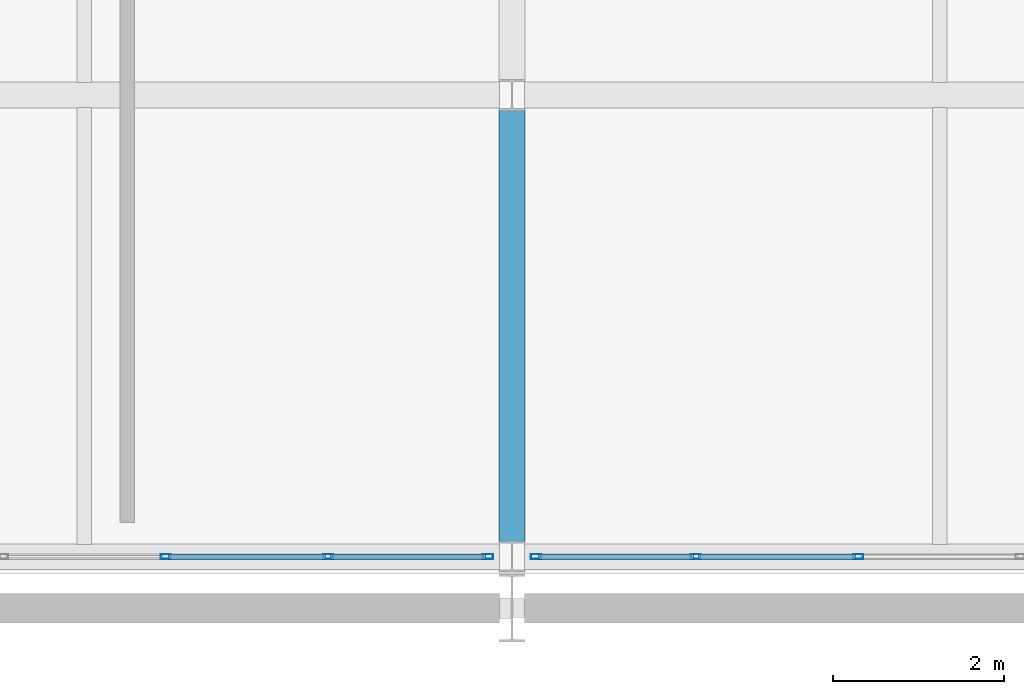
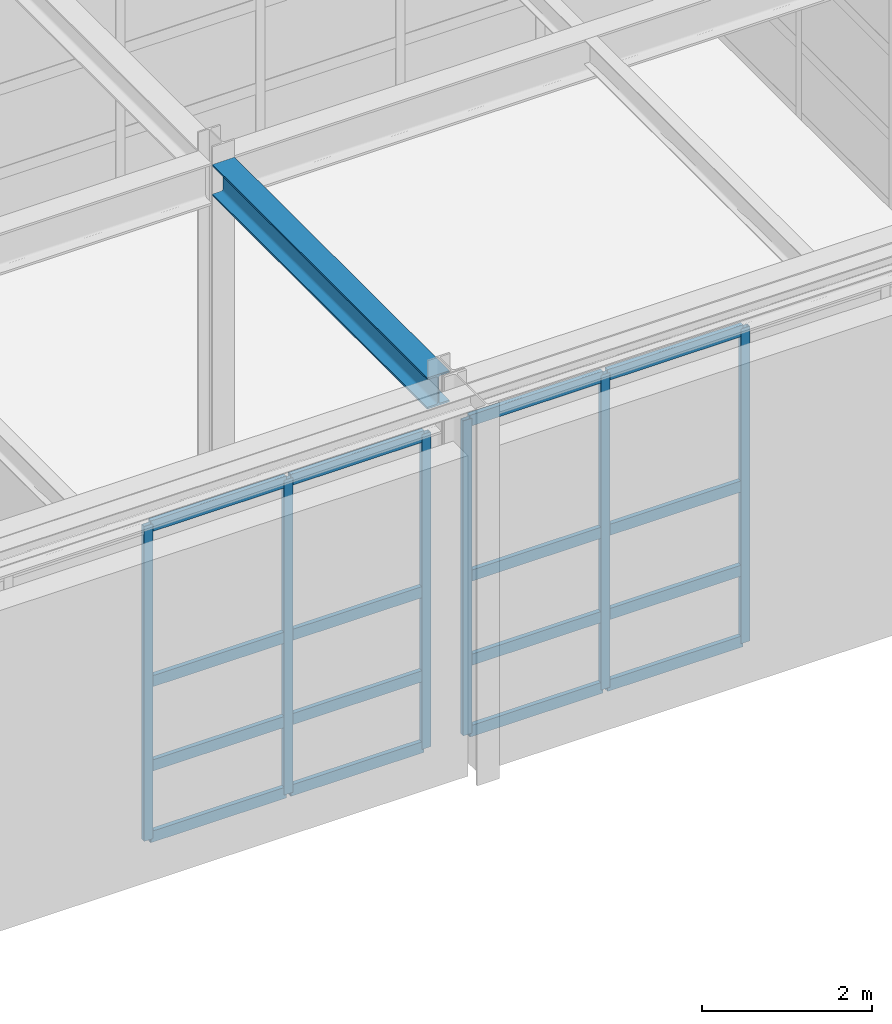
# One storey, part 122 of 210: 22 members, 1 beam, 2 elements without a shape of their own.
"""IFC4 building model written with IfcOpenShell, lengths in metres."""

from ifc_helpers import new_model, si_unit, direction, frame, origin, origin_2d, place, context, subcontext, project, spatial, hollow_rectangle, i_section, extrude, material, material_profile, profile_set, type_object, element, aggregate, save


model = new_model("IFC4")

# Units and contexts
model_context = context("Model", 3, precision=1e-05, world=origin(), true_north=direction((0.0, 1.0)))
body_context = subcontext(model_context, "Body", "Model", "MODEL_VIEW")
ifc_project = project(units=[si_unit("LENGTHUNIT", "METRE"), si_unit("AREAUNIT", "SQUARE_METRE"), si_unit("VOLUMEUNIT", "CUBIC_METRE"), si_unit("PLANEANGLEUNIT", "RADIAN"), si_unit("MASSUNIT", "GRAM", prefix="KILO")], contexts=[model_context])

# Site, building, storey
site_placement = place(None, origin())
site = spatial("IfcSite", under=ifc_project, at=site_placement, CompositionType="ELEMENT")
building_placement = place(site_placement, origin())
building = spatial("IfcBuilding", under=site, at=building_placement, Name="Kaldris Quays Convention Centre", CompositionType="ELEMENT")
storey_placement = place(building_placement, frame((0.0, 0.0, 6.0)))
storey = spatial("IfcBuildingStorey", under=building, at=storey_placement, Name="L01", CompositionType="ELEMENT", Elevation=6.0)

# Curtain wall, members
ifc_material_1 = material(Name="Anodized aluminium AW-6060 and triple glazing", Category="aluminium")
curtain_wall_type = type_object("IfcCurtainWallType", Name="UNITISED CURTAIN WALL CW06", PredefinedType="NOTDEFINED", material=ifc_material_1)
curtain_wall_1_placement = place(storey_placement, origin())
curtain_wall_1 = element("IfcCurtainWall", 1, at=curtain_wall_1_placement, inside=storey, type_object=curtain_wall_type, Name="L01 Unitised Curtain Wall CW06 162", PredefinedType="NOTDEFINED")
ifc_material_2 = material(Name="Anodized aluminium AW-6060", Category="aluminium")
ifc_material_profile_1 = material_profile(ifc_material_2, hollow_rectangle(XDim=0.06005859375, YDim=0.1201171875, WallThickness=0.00390625, at=origin_2d()), Name="RHS 120x60x4")
ifc_profile_set_1 = profile_set([ifc_material_profile_1], Name="Anodized aluminium AW-6060")
member_type_1 = type_object("IfcMemberType", Name="CURTAIN MULLION CWM3", PredefinedType="MULLION", material=ifc_profile_set_1)
member_1_placement = place(storey_placement, frame((179.949951171875, 104.60009765625, 0.0), z_axis=(0.0, 0.0, 1.0), x_axis=(0.0, 1.0, 0.0)))
member_1 = element("IfcMember", 2, at=member_1_placement, type_object=member_type_1, Name="CW06 mullion 4", PredefinedType="MULLION", context=body_context, shape_type="SweptSolid", body=[
    extrude(hollow_rectangle(XDim=0.06005859375, YDim=0.1201171875, WallThickness=0.00390625, at=origin_2d()), origin(), (0.0, 0.0, 1.0), 4.51806640625),
])
member_2_placement = place(storey_placement, frame((181.85009765625, 104.60009765625, 0.0), z_axis=(0.0, 0.0, 1.0), x_axis=(0.0, 1.0, 0.0)))
member_2 = element("IfcMember", 3, at=member_2_placement, type_object=member_type_1, Name="CW06 mullion 5", PredefinedType="MULLION", context=body_context, shape_type="SweptSolid", body=[
    extrude(hollow_rectangle(XDim=0.06005859375, YDim=0.1201171875, WallThickness=0.00390625, at=origin_2d()), origin(), (0.0, 0.0, 1.0), 4.51806640625),
])
member_3_placement = place(storey_placement, frame((183.719970703125, 104.60009765625, 0.0), z_axis=(0.0, 0.0, 1.0), x_axis=(0.0, 1.0, 0.0)))
member_3 = element("IfcMember", 4, at=member_3_placement, type_object=member_type_1, Name="CW06 mullion 6", PredefinedType="MULLION", context=body_context, shape_type="SweptSolid", body=[
    extrude(hollow_rectangle(XDim=0.06005859375, YDim=0.1201171875, WallThickness=0.00390625, at=origin_2d()), origin(), (0.0, 0.0, 1.0), 4.51806640625),
])

curtain_wall_2_placement = place(storey_placement, origin())
curtain_wall_2 = element("IfcCurtainWall", 5, at=curtain_wall_2_placement, inside=storey, type_object=curtain_wall_type, Name="L01 Unitised Curtain Wall CW06 164", PredefinedType="NOTDEFINED")
member_4_placement = place(storey_placement, frame((184.280029296875, 104.60009765625, 0.0), z_axis=(0.0, 0.0, 1.0), x_axis=(0.0, 1.0, 0.0)))
member_4 = element("IfcMember", 6, at=member_4_placement, type_object=member_type_1, Name="CW06 mullion 1", PredefinedType="MULLION", context=body_context, shape_type="SweptSolid", body=[
    extrude(hollow_rectangle(XDim=0.06005859375, YDim=0.1201171875, WallThickness=0.00390625, at=origin_2d()), origin(), (0.0, 0.0, 1.0), 4.51806640625),
])
member_5_placement = place(storey_placement, frame((186.14990234375, 104.60009765625, 0.0), z_axis=(0.0, 0.0, 1.0), x_axis=(0.0, 1.0, 0.0)))
member_5 = element("IfcMember", 7, at=member_5_placement, type_object=member_type_1, Name="CW06 mullion 2", PredefinedType="MULLION", context=body_context, shape_type="SweptSolid", body=[
    extrude(hollow_rectangle(XDim=0.06005859375, YDim=0.1201171875, WallThickness=0.00390625, at=origin_2d()), origin(), (0.0, 0.0, 1.0), 4.51806640625),
])
member_6_placement = place(storey_placement, frame((188.050048828125, 104.60009765625, 0.0), z_axis=(0.0, 0.0, 1.0), x_axis=(0.0, 1.0, 0.0)))
member_6 = element("IfcMember", 8, at=member_6_placement, type_object=member_type_1, Name="CW06 mullion 3", PredefinedType="MULLION", context=body_context, shape_type="SweptSolid", body=[
    extrude(hollow_rectangle(XDim=0.06005859375, YDim=0.1201171875, WallThickness=0.00390625, at=origin_2d()), origin(), (0.0, 0.0, 1.0), 4.51806640625),
])

# Member
ifc_material_profile_2 = material_profile(ifc_material_2, hollow_rectangle(XDim=0.06005859375, YDim=0.159912109375, WallThickness=0.00390625, at=origin_2d()), Name="RHS 160x60x4")
ifc_profile_set_2 = profile_set([ifc_material_profile_2], Name="Anodized aluminium AW-6060")
member_type_2 = type_object("IfcMemberType", Name="CURTAIN TRANSOM CWT2", PredefinedType="USERDEFINED", material=ifc_profile_set_2)
member_7_placement = place(storey_placement, frame((179.97998046875, 104.60009765625, 0.030029296875), z_axis=(1.0, 0.0, 0.0), x_axis=(0.0, 1.0, 0.0)))
member_7 = element("IfcMember", 9, at=member_7_placement, type_object=member_type_2, Name="CW06 transom 4.1", ObjectType="TRANSOM", PredefinedType="USERDEFINED", context=body_context, shape_type="SweptSolid", body=[
    extrude(hollow_rectangle(XDim=0.06005859375, YDim=0.159912109375, WallThickness=0.00390625, at=origin_2d()), origin(), (0.0, 0.0, 1.0), 1.840087890625),
])

member_8_placement = place(storey_placement, frame((179.97998046875, 104.60009765625, 1.050048828125), z_axis=(1.0, 0.0, 0.0), x_axis=(0.0, 1.0, 0.0)))
member_8 = element("IfcMember", 10, at=member_8_placement, type_object=member_type_2, Name="CW06 transom 4.2", ObjectType="TRANSOM", PredefinedType="USERDEFINED", context=body_context, shape_type="SweptSolid", body=[
    extrude(hollow_rectangle(XDim=0.06005859375, YDim=0.159912109375, WallThickness=0.00390625, at=origin_2d()), origin(), (0.0, 0.0, 1.0), 1.840087890625),
])

member_9_placement = place(storey_placement, frame((179.97998046875, 104.60009765625, 2.259033203125), z_axis=(1.0, 0.0, 0.0), x_axis=(0.0, 1.0, 0.0)))
member_9 = element("IfcMember", 11, at=member_9_placement, type_object=member_type_2, Name="CW06 transom 4.3", ObjectType="TRANSOM", PredefinedType="USERDEFINED", context=body_context, shape_type="SweptSolid", body=[
    extrude(hollow_rectangle(XDim=0.06005859375, YDim=0.159912109375, WallThickness=0.00390625, at=origin_2d()), origin(), (0.0, 0.0, 1.0), 1.840087890625),
])

member_10_placement = place(storey_placement, frame((179.97998046875, 104.60009765625, 4.488037109375), z_axis=(1.0, 0.0, 0.0), x_axis=(0.0, 1.0, 0.0)))
member_10 = element("IfcMember", 12, at=member_10_placement, type_object=member_type_2, Name="CW06 transom 4.4", ObjectType="TRANSOM", PredefinedType="USERDEFINED", context=body_context, shape_type="SweptSolid", body=[
    extrude(hollow_rectangle(XDim=0.06005859375, YDim=0.159912109375, WallThickness=0.00390625, at=origin_2d()), origin(), (0.0, 0.0, 1.0), 1.840087890625),
])

member_11_placement = place(storey_placement, frame((181.8798828125, 104.60009765625, 0.030029296875), z_axis=(1.0, 0.0, 0.0), x_axis=(0.0, 1.0, 0.0)))
member_11 = element("IfcMember", 13, at=member_11_placement, type_object=member_type_2, Name="CW06 transom 5.1", ObjectType="TRANSOM", PredefinedType="USERDEFINED", context=body_context, shape_type="SweptSolid", body=[
    extrude(hollow_rectangle(XDim=0.06005859375, YDim=0.159912109375, WallThickness=0.00390625, at=origin_2d()), origin(), (0.0, 0.0, 1.0), 1.81005859375),
])

member_12_placement = place(storey_placement, frame((181.8798828125, 104.60009765625, 1.050048828125), z_axis=(1.0, 0.0, 0.0), x_axis=(0.0, 1.0, 0.0)))
member_12 = element("IfcMember", 14, at=member_12_placement, type_object=member_type_2, Name="CW06 transom 5.2", ObjectType="TRANSOM", PredefinedType="USERDEFINED", context=body_context, shape_type="SweptSolid", body=[
    extrude(hollow_rectangle(XDim=0.06005859375, YDim=0.159912109375, WallThickness=0.00390625, at=origin_2d()), origin(), (0.0, 0.0, 1.0), 1.81005859375),
])

member_13_placement = place(storey_placement, frame((181.8798828125, 104.60009765625, 2.259033203125), z_axis=(1.0, 0.0, 0.0), x_axis=(0.0, 1.0, 0.0)))
member_13 = element("IfcMember", 15, at=member_13_placement, type_object=member_type_2, Name="CW06 transom 5.3", ObjectType="TRANSOM", PredefinedType="USERDEFINED", context=body_context, shape_type="SweptSolid", body=[
    extrude(hollow_rectangle(XDim=0.06005859375, YDim=0.159912109375, WallThickness=0.00390625, at=origin_2d()), origin(), (0.0, 0.0, 1.0), 1.81005859375),
])

member_14_placement = place(storey_placement, frame((181.8798828125, 104.60009765625, 4.488037109375), z_axis=(1.0, 0.0, 0.0), x_axis=(0.0, 1.0, 0.0)))
member_14 = element("IfcMember", 16, at=member_14_placement, type_object=member_type_2, Name="CW06 transom 5.4", ObjectType="TRANSOM", PredefinedType="USERDEFINED", context=body_context, shape_type="SweptSolid", body=[
    extrude(hollow_rectangle(XDim=0.06005859375, YDim=0.159912109375, WallThickness=0.00390625, at=origin_2d()), origin(), (0.0, 0.0, 1.0), 1.81005859375),
])

aggregate(curtain_wall_1, [member_1, member_2, member_3, member_7, member_8, member_9, member_10, member_11, member_12, member_13, member_14])

member_15_placement = place(storey_placement, frame((184.31005859375, 104.60009765625, 0.030029296875), z_axis=(1.0, 0.0, 0.0), x_axis=(0.0, 1.0, 0.0)))
member_15 = element("IfcMember", 17, at=member_15_placement, type_object=member_type_2, Name="CW06 transom 1.1", ObjectType="TRANSOM", PredefinedType="USERDEFINED", context=body_context, shape_type="SweptSolid", body=[
    extrude(hollow_rectangle(XDim=0.06005859375, YDim=0.159912109375, WallThickness=0.00390625, at=origin_2d()), origin(), (0.0, 0.0, 1.0), 1.81005859375),
])

member_16_placement = place(storey_placement, frame((184.31005859375, 104.60009765625, 1.050048828125), z_axis=(1.0, 0.0, 0.0), x_axis=(0.0, 1.0, 0.0)))
member_16 = element("IfcMember", 18, at=member_16_placement, type_object=member_type_2, Name="CW06 transom 1.2", ObjectType="TRANSOM", PredefinedType="USERDEFINED", context=body_context, shape_type="SweptSolid", body=[
    extrude(hollow_rectangle(XDim=0.06005859375, YDim=0.159912109375, WallThickness=0.00390625, at=origin_2d()), origin(), (0.0, 0.0, 1.0), 1.81005859375),
])

member_17_placement = place(storey_placement, frame((184.31005859375, 104.60009765625, 2.259033203125), z_axis=(1.0, 0.0, 0.0), x_axis=(0.0, 1.0, 0.0)))
member_17 = element("IfcMember", 19, at=member_17_placement, type_object=member_type_2, Name="CW06 transom 1.3", ObjectType="TRANSOM", PredefinedType="USERDEFINED", context=body_context, shape_type="SweptSolid", body=[
    extrude(hollow_rectangle(XDim=0.06005859375, YDim=0.159912109375, WallThickness=0.00390625, at=origin_2d()), origin(), (0.0, 0.0, 1.0), 1.81005859375),
])

member_18_placement = place(storey_placement, frame((184.31005859375, 104.60009765625, 4.488037109375), z_axis=(1.0, 0.0, 0.0), x_axis=(0.0, 1.0, 0.0)))
member_18 = element("IfcMember", 20, at=member_18_placement, type_object=member_type_2, Name="CW06 transom 1.4", ObjectType="TRANSOM", PredefinedType="USERDEFINED", context=body_context, shape_type="SweptSolid", body=[
    extrude(hollow_rectangle(XDim=0.06005859375, YDim=0.159912109375, WallThickness=0.00390625, at=origin_2d()), origin(), (0.0, 0.0, 1.0), 1.81005859375),
])

member_19_placement = place(storey_placement, frame((186.179931640625, 104.60009765625, 0.030029296875), z_axis=(1.0, 0.0, 0.0), x_axis=(0.0, 1.0, 0.0)))
member_19 = element("IfcMember", 21, at=member_19_placement, type_object=member_type_2, Name="CW06 transom 2.1", ObjectType="TRANSOM", PredefinedType="USERDEFINED", context=body_context, shape_type="SweptSolid", body=[
    extrude(hollow_rectangle(XDim=0.06005859375, YDim=0.159912109375, WallThickness=0.00390625, at=origin_2d()), origin(), (0.0, 0.0, 1.0), 1.840087890625),
])

member_20_placement = place(storey_placement, frame((186.179931640625, 104.60009765625, 1.050048828125), z_axis=(1.0, 0.0, 0.0), x_axis=(0.0, 1.0, 0.0)))
member_20 = element("IfcMember", 22, at=member_20_placement, type_object=member_type_2, Name="CW06 transom 2.2", ObjectType="TRANSOM", PredefinedType="USERDEFINED", context=body_context, shape_type="SweptSolid", body=[
    extrude(hollow_rectangle(XDim=0.06005859375, YDim=0.159912109375, WallThickness=0.00390625, at=origin_2d()), origin(), (0.0, 0.0, 1.0), 1.840087890625),
])

member_21_placement = place(storey_placement, frame((186.179931640625, 104.60009765625, 2.259033203125), z_axis=(1.0, 0.0, 0.0), x_axis=(0.0, 1.0, 0.0)))
member_21 = element("IfcMember", 23, at=member_21_placement, type_object=member_type_2, Name="CW06 transom 2.3", ObjectType="TRANSOM", PredefinedType="USERDEFINED", context=body_context, shape_type="SweptSolid", body=[
    extrude(hollow_rectangle(XDim=0.06005859375, YDim=0.159912109375, WallThickness=0.00390625, at=origin_2d()), origin(), (0.0, 0.0, 1.0), 1.840087890625),
])

member_22_placement = place(storey_placement, frame((186.179931640625, 104.60009765625, 4.488037109375), z_axis=(1.0, 0.0, 0.0), x_axis=(0.0, 1.0, 0.0)))
member_22 = element("IfcMember", 24, at=member_22_placement, type_object=member_type_2, Name="CW06 transom 2.4", ObjectType="TRANSOM", PredefinedType="USERDEFINED", context=body_context, shape_type="SweptSolid", body=[
    extrude(hollow_rectangle(XDim=0.06005859375, YDim=0.159912109375, WallThickness=0.00390625, at=origin_2d()), origin(), (0.0, 0.0, 1.0), 1.840087890625),
])

aggregate(curtain_wall_2, [member_4, member_5, member_6, member_15, member_16, member_17, member_18, member_19, member_20, member_21, member_22])

# Beam
ifc_material_3 = material(Name="Steel S355J2", Category="steel")
ifc_material_profile_3 = material_profile(ifc_material_3, i_section(OverallWidth=0.300048828125, OverallDepth=0.449951171875, WebThickness=0.013916015625, FlangeThickness=0.02587890625, FilletRadius=0.027099609375, at=origin_2d()), Name="HEB 450")
ifc_profile_set_3 = profile_set([ifc_material_profile_3], Name="Steel S355J2")
beam_type = type_object("IfcBeamType", Name="STRUCTURAL BEAM BM07", PredefinedType="BEAM", material=ifc_profile_set_3)
beam_placement = place(storey_placement, frame((184.0, 104.77392578125, 4.91796875), z_axis=(0.0, 1.0, 0.0), x_axis=(-1.0, 0.0, 0.0)))
element("IfcBeam", 25, at=beam_placement, inside=storey, type_object=beam_type, Name="L01 Girder BM07 106", PredefinedType="BEAM", context=body_context, shape_type="SweptSolid", body=[
    extrude(i_section(OverallWidth=0.300048828125, OverallDepth=0.449951171875, WebThickness=0.013916015625, FlangeThickness=0.02587890625, FilletRadius=0.027099609375, at=origin_2d()), origin(), (0.0, 0.0, 1.0), 5.052001953125),
])

save(model, "model.ifc")
